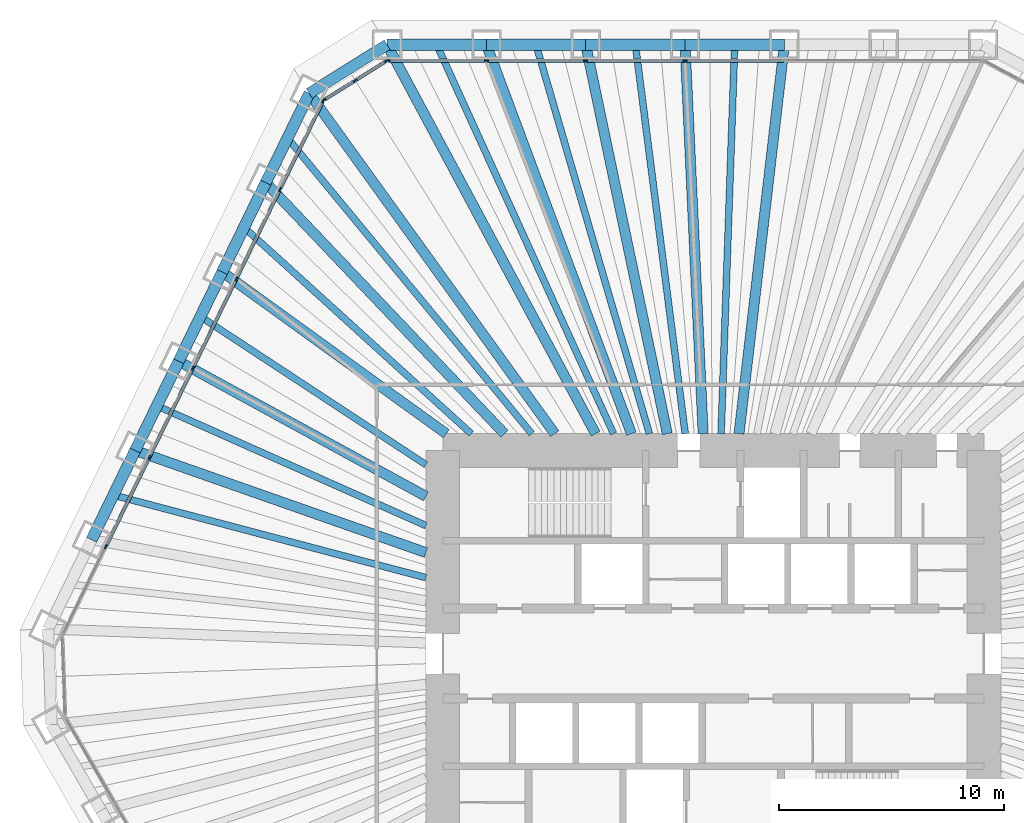
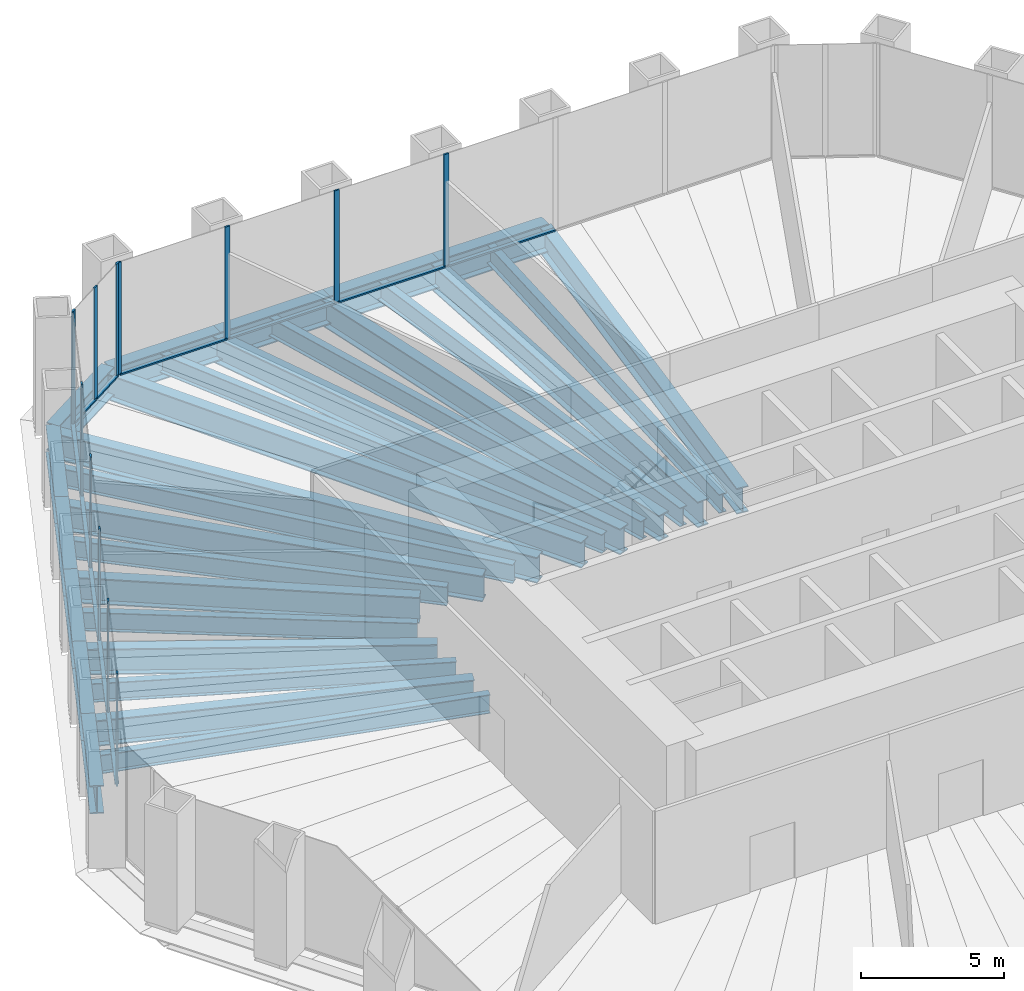
# One storey, part 6 of 14: 29 beams, 24 members, 3 elements without a shape of their own.
"""IFC4 building model written with IfcOpenShell, lengths in metres."""

from ifc_helpers import new_model, si_unit, direction, frame, origin, origin_2d, place, context, subcontext, project, spatial, rectangle, i_section, extrude, material, material_profile, profile_set, type_object, element, aggregate, save


model = new_model("IFC4")

# Units and contexts
model_context = context("Model", 3, precision=1e-05, world=origin(), true_north=direction((0.0, 1.0)))
body_context = subcontext(model_context, "Body", "Model", "MODEL_VIEW")
ifc_project = project(units=[si_unit("LENGTHUNIT", "METRE"), si_unit("AREAUNIT", "SQUARE_METRE"), si_unit("VOLUMEUNIT", "CUBIC_METRE"), si_unit("PLANEANGLEUNIT", "RADIAN"), si_unit("MASSUNIT", "GRAM", prefix="KILO")], contexts=[model_context])

# Site, building, storey
site_placement = place(None, origin())
site = spatial("IfcSite", under=ifc_project, at=site_placement, CompositionType="ELEMENT")
building_placement = place(site_placement, origin())
building = spatial("IfcBuilding", under=site, at=building_placement, Name="Qingtian Harvest Tower", CompositionType="ELEMENT")
storey_placement = place(building_placement, frame((0.0, 0.0, 57.0)))
storey = spatial("IfcBuildingStorey", under=building, at=storey_placement, Name="L11", CompositionType="ELEMENT", Elevation=57.0)

# Beams
ifc_material_1 = material(Name="Steel SM570MC", Category="steel")
ifc_material_profile_1 = material_profile(ifc_material_1, i_section(OverallWidth=0.449951171875, OverallDepth=1.10009765625, WebThickness=0.02197265625, FlangeThickness=0.044921875, at=origin_2d()), Name="H1100x450x22x45")
ifc_profile_set_1 = profile_set([ifc_material_profile_1], Name="Steel SM570MC")
beam_type_1 = type_object("IfcBeamType", Name="Corner floor beam FB8 H1100x450x22x45", PredefinedType="BEAM", material=ifc_profile_set_1)
beam_1_placement = place(storey_placement, frame((-14.471435546875, 27.0, -0.75), z_axis=(0.472401408299, -0.881383520062, 0.0), x_axis=(0.881383520062, 0.472401408299, 0.0)))
element("IfcBeam", 1, at=beam_1_placement, inside=storey, type_object=beam_type_1, Name="Floor beam FB8 N0", PredefinedType="BEAM", context=body_context, shape_type="SweptSolid", body=[
    extrude(i_section(OverallWidth=0.449951171875, OverallDepth=1.10009765625, WebThickness=0.02197265625, FlangeThickness=0.044921875, at=origin_2d()), origin(), (0.0, 0.0, 1.0), 19.571533203125),
])
beam_2_placement = place(storey_placement, frame((-17.923583984375, 24.8427734375, -0.75), z_axis=(0.585095822328, -0.810964166098, 0.0), x_axis=(0.810964166098, 0.585095822328, 0.0)))
element("IfcBeam", 2, at=beam_2_placement, inside=storey, type_object=beam_type_1, Name="Floor beam FB8 NW6", PredefinedType="BEAM", context=body_context, shape_type="SweptSolid", body=[
    extrude(i_section(OverallWidth=0.449951171875, OverallDepth=1.10009765625, WebThickness=0.02197265625, FlangeThickness=0.044921875, at=origin_2d()), origin(), (0.0, 0.0, 1.0), 18.61083984375),
])
ifc_material_2 = material(Name="Steel SM570MC", Category="steel")
ifc_material_profile_2 = material_profile(ifc_material_2, i_section(OverallWidth=0.449951171875, OverallDepth=1.10009765625, WebThickness=0.02197265625, FlangeThickness=0.044921875, at=origin_2d()), Name="H1100x450x22x45")
ifc_profile_set_2 = profile_set([ifc_material_profile_2], Name="Steel SM570MC")
beam_type_2 = type_object("IfcBeamType", Name="Floor beam FB1 H1100x450x22x45", PredefinedType="BEAM", material=ifc_profile_set_2)
beam_3_placement = place(storey_placement, frame((-10.06689453125, 27.0, -0.75), z_axis=(0.349355612113, -0.936990211414, 0.0), x_axis=(0.936990211414, 0.349355612113, 0.0)))
element("IfcBeam", 3, at=beam_3_placement, inside=storey, type_object=beam_type_2, Name="Floor beam FB1 N1", PredefinedType="BEAM", context=body_context, shape_type="SweptSolid", body=[
    extrude(i_section(OverallWidth=0.449951171875, OverallDepth=1.10009765625, WebThickness=0.02197265625, FlangeThickness=0.044921875, at=origin_2d()), origin(), (0.0, 0.0, 1.0), 18.409912109375),
])
beam_4_placement = place(storey_placement, frame((-5.662353515625, 27.0, -0.75), z_axis=(0.205255077335, -0.978708512903, 0.0), x_axis=(0.978708512903, 0.205255077335, 0.0)))
element("IfcBeam", 4, at=beam_4_placement, inside=storey, type_object=beam_type_2, Name="Floor beam FB1 N2", PredefinedType="BEAM", context=body_context, shape_type="SweptSolid", body=[
    extrude(i_section(OverallWidth=0.449951171875, OverallDepth=1.10009765625, WebThickness=0.02197265625, FlangeThickness=0.044921875, at=origin_2d()), origin(), (0.0, 0.0, 1.0), 17.625244140625),
])
beam_5_placement = place(storey_placement, frame((-1.257568359375, 27.0, -0.75), z_axis=(0.046527342366, -0.99891701678, 0.0), x_axis=(0.99891701678, 0.046527342366, 0.0)))
element("IfcBeam", 5, at=beam_5_placement, inside=storey, type_object=beam_type_2, Name="Floor beam FB1 N3", PredefinedType="BEAM", context=body_context, shape_type="SweptSolid", body=[
    extrude(i_section(OverallWidth=0.449951171875, OverallDepth=1.10009765625, WebThickness=0.02197265625, FlangeThickness=0.044921875, at=origin_2d()), origin(), (0.0, 0.0, 1.0), 17.268798828125),
])
beam_6_placement = place(storey_placement, frame((3.14697265625, 27.0, -0.75), z_axis=(-0.115766971807, -0.993276400726, 0.0), x_axis=(0.993276400726, -0.115766971807, 0.0)))
element("IfcBeam", 6, at=beam_6_placement, inside=storey, type_object=beam_type_2, Name="Floor beam FB1 N4", PredefinedType="BEAM", context=body_context, shape_type="SweptSolid", body=[
    extrude(i_section(OverallWidth=0.449951171875, OverallDepth=1.10009765625, WebThickness=0.02197265625, FlangeThickness=0.044921875, at=origin_2d()), origin(), (0.0, 0.0, 1.0), 17.36669921875),
])
beam_7_placement = place(storey_placement, frame((-25.64697265625, 9.007568359375, -0.75), z_axis=(0.943501950009, -0.331366972296, 0.0), x_axis=(0.331366972296, 0.943501950009, 0.0)))
element("IfcBeam", 7, at=beam_7_placement, inside=storey, type_object=beam_type_2, Name="Floor beam FB1 NW2", PredefinedType="BEAM", context=body_context, shape_type="SweptSolid", body=[
    extrude(i_section(OverallWidth=0.449951171875, OverallDepth=1.10009765625, WebThickness=0.02197265625, FlangeThickness=0.044921875, at=origin_2d()), origin(), (0.0, 0.0, 1.0), 13.669189453125),
])
beam_8_placement = place(storey_placement, frame((-23.716064453125, 12.96630859375, -0.75), z_axis=(0.877428569154, -0.479707312882, 0.0), x_axis=(0.479707312882, 0.877428569154, 0.0)))
element("IfcBeam", 8, at=beam_8_placement, inside=storey, type_object=beam_type_2, Name="Floor beam FB1 NW3", PredefinedType="BEAM", context=body_context, shape_type="SweptSolid", body=[
    extrude(i_section(OverallWidth=0.449951171875, OverallDepth=1.10009765625, WebThickness=0.02197265625, FlangeThickness=0.044921875, at=origin_2d()), origin(), (0.0, 0.0, 1.0), 12.498046875),
])
beam_9_placement = place(storey_placement, frame((-21.78515625, 16.92529296875, -0.75), z_axis=(0.810680279019, -0.585489099139, 0.0), x_axis=(0.585489099139, 0.810680279019, 0.0)))
element("IfcBeam", 9, at=beam_9_placement, inside=storey, type_object=beam_type_2, Name="Floor beam FB1 NW4", PredefinedType="BEAM", context=body_context, shape_type="SweptSolid", body=[
    extrude(i_section(OverallWidth=0.449951171875, OverallDepth=1.10009765625, WebThickness=0.02197265625, FlangeThickness=0.044921875, at=origin_2d()), origin(), (0.0, 0.0, 1.0), 12.255126953125),
])
beam_10_placement = place(storey_placement, frame((-19.8544921875, 20.884033203125, -0.75), z_axis=(0.689018801535, -0.724743465739, 0.0), x_axis=(0.724743465739, 0.689018801535, 0.0)))
element("IfcBeam", 10, at=beam_10_placement, inside=storey, type_object=beam_type_2, Name="Floor beam FB1 NW5", PredefinedType="BEAM", context=body_context, shape_type="SweptSolid", body=[
    extrude(i_section(OverallWidth=0.449951171875, OverallDepth=1.10009765625, WebThickness=0.02197265625, FlangeThickness=0.044921875, at=origin_2d()), origin(), (0.0, 0.0, 1.0), 15.36279296875),
])
ifc_material_3 = material(Name="Steel SN490B", Category="steel")
ifc_material_profile_3 = material_profile(ifc_material_3, i_section(OverallWidth=0.300048828125, OverallDepth=0.800048828125, WebThickness=0.013916015625, FlangeThickness=0.02587890625, at=origin_2d()), Name="H800x300x14x26")
ifc_profile_set_3 = profile_set([ifc_material_profile_3], Name="Steel SN490B")
beam_type_3 = type_object("IfcBeamType", Name="Floor joist J1 H800x300x14x26", PredefinedType="JOIST", material=ifc_profile_set_3)
beam_11_placement = place(storey_placement, frame((-12.269287109375, 27.0, -0.60009765625), z_axis=(0.413713629402, -0.910407069858, 0.0), x_axis=(0.910407069858, 0.413713629402, 0.0)))
element("IfcBeam", 11, at=beam_11_placement, inside=storey, type_object=beam_type_3, Name="Floor joist J1 N0", PredefinedType="JOIST", context=body_context, shape_type="SweptSolid", body=[
    extrude(i_section(OverallWidth=0.300048828125, OverallDepth=0.800048828125, WebThickness=0.013916015625, FlangeThickness=0.02587890625, at=origin_2d()), origin(), (0.0, 0.0, 1.0), 18.947509765625),
])
beam_12_placement = place(storey_placement, frame((-7.864501953125, 27.0, -0.60009765625), z_axis=(0.279649335299, -0.960102207719, 0.0), x_axis=(0.960102207719, 0.279649335299, 0.0)))
element("IfcBeam", 12, at=beam_12_placement, inside=storey, type_object=beam_type_3, Name="Floor joist J1 N1", PredefinedType="JOIST", context=body_context, shape_type="SweptSolid", body=[
    extrude(i_section(OverallWidth=0.300048828125, OverallDepth=0.800048828125, WebThickness=0.013916015625, FlangeThickness=0.02587890625, at=origin_2d()), origin(), (0.0, 0.0, 1.0), 17.966796875),
])
beam_13_placement = place(storey_placement, frame((-3.4599609375, 27.0, -0.60009765625), z_axis=(0.127102696173, -0.991889562716, 0.0), x_axis=(0.991889562716, 0.127102696173, 0.0)))
element("IfcBeam", 13, at=beam_13_placement, inside=storey, type_object=beam_type_3, Name="Floor joist J1 N2", PredefinedType="JOIST", context=body_context, shape_type="SweptSolid", body=[
    extrude(i_section(OverallWidth=0.300048828125, OverallDepth=0.800048828125, WebThickness=0.013916015625, FlangeThickness=0.02587890625, at=origin_2d()), origin(), (0.0, 0.0, 1.0), 17.39111328125),
])
beam_14_placement = place(storey_placement, frame((0.944580078125, 27.0, -0.60009765625), z_axis=(-0.034965020137, -0.99938853674, 0.0), x_axis=(0.99938853674, -0.034965020137, 0.0)))
element("IfcBeam", 14, at=beam_14_placement, inside=storey, type_object=beam_type_3, Name="Floor joist J1 N3", PredefinedType="JOIST", context=body_context, shape_type="SweptSolid", body=[
    extrude(i_section(OverallWidth=0.300048828125, OverallDepth=0.800048828125, WebThickness=0.013916015625, FlangeThickness=0.02587890625, at=origin_2d()), origin(), (0.0, 0.0, 1.0), 17.260498046875),
])
beam_15_placement = place(storey_placement, frame((-26.6123046875, 7.028076171875, -0.60009765625), z_axis=(0.966852496992, -0.255335561684, 0.0), x_axis=(0.255335561684, 0.966852496992, 0.0)))
element("IfcBeam", 15, at=beam_15_placement, inside=storey, type_object=beam_type_3, Name="Floor joist J1 NW1", PredefinedType="JOIST", context=body_context, shape_type="SweptSolid", body=[
    extrude(i_section(OverallWidth=0.300048828125, OverallDepth=0.800048828125, WebThickness=0.013916015625, FlangeThickness=0.02587890625, at=origin_2d()), origin(), (0.0, 0.0, 1.0), 14.337646484375),
])
beam_16_placement = place(storey_placement, frame((-24.681640625, 10.987060546875, -0.60009765625), z_axis=(0.913567796195, -0.406686466157, 0.0), x_axis=(0.406686466157, 0.913567796195, 0.0)))
element("IfcBeam", 16, at=beam_16_placement, inside=storey, type_object=beam_type_3, Name="Floor joist J1 NW2", PredefinedType="JOIST", context=body_context, shape_type="SweptSolid", body=[
    extrude(i_section(OverallWidth=0.300048828125, OverallDepth=0.800048828125, WebThickness=0.013916015625, FlangeThickness=0.02587890625, at=origin_2d()), origin(), (0.0, 0.0, 1.0), 13.060546875),
])
beam_17_placement = place(storey_placement, frame((-22.750732421875, 14.94580078125, -0.60009765625), z_axis=(0.835785467613, -0.549056146607, 0.0), x_axis=(0.549056146607, 0.835785467613, 0.0)))
element("IfcBeam", 17, at=beam_17_placement, inside=storey, type_object=beam_type_3, Name="Floor joist J1 NW3", PredefinedType="JOIST", context=body_context, shape_type="SweptSolid", body=[
    extrude(i_section(OverallWidth=0.300048828125, OverallDepth=0.800048828125, WebThickness=0.013916015625, FlangeThickness=0.02587890625, at=origin_2d()), origin(), (0.0, 0.0, 1.0), 11.965576171875),
])
beam_18_placement = place(storey_placement, frame((-20.81982421875, 18.904541015625, -0.60009765625), z_axis=(0.740339866926, -0.672232758381, 0.0), x_axis=(0.672232758381, 0.740339866926, 0.0)))
element("IfcBeam", 18, at=beam_18_placement, inside=storey, type_object=beam_type_3, Name="Floor joist J1 NW4", PredefinedType="JOIST", context=body_context, shape_type="SweptSolid", body=[
    extrude(i_section(OverallWidth=0.300048828125, OverallDepth=0.800048828125, WebThickness=0.013916015625, FlangeThickness=0.02587890625, at=origin_2d()), origin(), (0.0, 0.0, 1.0), 13.6181640625),
])
beam_19_placement = place(storey_placement, frame((-18.888916015625, 22.863525390625, -0.60009765625), z_axis=(0.636910378144, -0.77093785107, 0.0), x_axis=(0.77093785107, 0.636910378144, 0.0)))
element("IfcBeam", 19, at=beam_19_placement, inside=storey, type_object=beam_type_3, Name="Floor joist J1 NW5", PredefinedType="JOIST", context=body_context, shape_type="SweptSolid", body=[
    extrude(i_section(OverallWidth=0.300048828125, OverallDepth=0.800048828125, WebThickness=0.013916015625, FlangeThickness=0.02587890625, at=origin_2d()), origin(), (0.0, 0.0, 1.0), 17.009765625),
])

# Curtain wall, members
ifc_material_4 = material(Name="Bronze-anodised aluminium curtain wall", Category="aluminium")
curtain_wall_type = type_object("IfcCurtainWallType", Name="Curtain wall CW2 farm reception", PredefinedType="USERDEFINED", material=ifc_material_4)
curtain_wall_1_placement = place(storey_placement, origin())
curtain_wall_1 = element("IfcCurtainWall", 20, at=curtain_wall_1_placement, inside=storey, type_object=curtain_wall_type, Name="Curtain wall CW2 L11 N0-5", ObjectType="RECESSED CURTAIN WALL", PredefinedType="USERDEFINED")
ifc_material_5 = material(Name="Bronze-anodised aluminium mullion", Category="aluminium")
ifc_material_profile_4 = material_profile(ifc_material_5, rectangle(XDim=0.06494140625, YDim=0.199951171875, at=origin_2d()), Name="AL 65x200")
ifc_profile_set_4 = profile_set([ifc_material_profile_4], Name="Bronze-anodised aluminium mullion")
member_type_1 = type_object("IfcMemberType", Name="Mullion CWM 65x200", PredefinedType="MULLION", material=ifc_profile_set_4)
member_1_placement = place(storey_placement, frame((-14.43896484375, 26.300048828125, 0.0), z_axis=(0.0, 0.0, 1.0), x_axis=(0.0, 1.0, 0.0)))
member_1 = element("IfcMember", 21, at=member_1_placement, type_object=member_type_1, Name="CW2 mullion 1", PredefinedType="MULLION", context=body_context, shape_type="SweptSolid", body=[
    extrude(rectangle(XDim=0.06494140625, YDim=0.199951171875, at=origin_2d()), origin(), (0.0, 0.0, 1.0), 4.800048828125),
])
member_2_placement = place(storey_placement, frame((-10.06689453125, 26.300048828125, 0.0), z_axis=(0.0, 0.0, 1.0), x_axis=(0.0, 1.0, 0.0)))
member_2 = element("IfcMember", 22, at=member_2_placement, type_object=member_type_1, Name="CW2 mullion 2", PredefinedType="MULLION", context=body_context, shape_type="SweptSolid", body=[
    extrude(rectangle(XDim=0.06494140625, YDim=0.199951171875, at=origin_2d()), origin(), (0.0, 0.0, 1.0), 4.800048828125),
])
member_3_placement = place(storey_placement, frame((-5.662353515625, 26.300048828125, 0.0), z_axis=(0.0, 0.0, 1.0), x_axis=(0.0, 1.0, 0.0)))
member_3 = element("IfcMember", 23, at=member_3_placement, type_object=member_type_1, Name="CW2 mullion 3", PredefinedType="MULLION", context=body_context, shape_type="SweptSolid", body=[
    extrude(rectangle(XDim=0.06494140625, YDim=0.199951171875, at=origin_2d()), origin(), (0.0, 0.0, 1.0), 4.800048828125),
])
member_4_placement = place(storey_placement, frame((-1.257568359375, 26.300048828125, 0.0), z_axis=(0.0, 0.0, 1.0), x_axis=(0.0, 1.0, 0.0)))
member_4 = element("IfcMember", 24, at=member_4_placement, type_object=member_type_1, Name="CW2 mullion 4", PredefinedType="MULLION", context=body_context, shape_type="SweptSolid", body=[
    extrude(rectangle(XDim=0.06494140625, YDim=0.199951171875, at=origin_2d()), origin(), (0.0, 0.0, 1.0), 4.800048828125),
])

curtain_wall_2_placement = place(storey_placement, origin())
curtain_wall_2 = element("IfcCurtainWall", 25, at=curtain_wall_2_placement, inside=storey, type_object=curtain_wall_type, Name="Curtain wall CW2 L11 NW0-5", ObjectType="RECESSED CURTAIN WALL", PredefinedType="USERDEFINED")
member_5_placement = place(storey_placement, frame((-26.94873046875, 4.741943359375, 0.0), z_axis=(0.0, 0.0, 1.0), x_axis=(-0.898794046299, 0.438371146789, 0.0)))
member_5 = element("IfcMember", 26, at=member_5_placement, type_object=member_type_1, Name="CW2 mullion 2", PredefinedType="MULLION", context=body_context, shape_type="SweptSolid", body=[
    extrude(rectangle(XDim=0.06494140625, YDim=0.199951171875, at=origin_2d()), origin(), (0.0, 0.0, 1.0), 4.800048828125),
])
member_6_placement = place(storey_placement, frame((-25.017822265625, 8.70068359375, 0.0), z_axis=(0.0, 0.0, 1.0), x_axis=(-0.898794046299, 0.438371146789, 0.0)))
member_6 = element("IfcMember", 27, at=member_6_placement, type_object=member_type_1, Name="CW2 mullion 3", PredefinedType="MULLION", context=body_context, shape_type="SweptSolid", body=[
    extrude(rectangle(XDim=0.06494140625, YDim=0.199951171875, at=origin_2d()), origin(), (0.0, 0.0, 1.0), 4.800048828125),
])
member_7_placement = place(storey_placement, frame((-23.0869140625, 12.659423828125, 0.0), z_axis=(0.0, 0.0, 1.0), x_axis=(-0.898794046299, 0.438371146789, 0.0)))
member_7 = element("IfcMember", 28, at=member_7_placement, type_object=member_type_1, Name="CW2 mullion 4", PredefinedType="MULLION", context=body_context, shape_type="SweptSolid", body=[
    extrude(rectangle(XDim=0.06494140625, YDim=0.199951171875, at=origin_2d()), origin(), (0.0, 0.0, 1.0), 4.800048828125),
])
member_8_placement = place(storey_placement, frame((-21.156005859375, 16.618408203125, 0.0), z_axis=(0.0, 0.0, 1.0), x_axis=(-0.898794046299, 0.438371146789, 0.0)))
member_8 = element("IfcMember", 29, at=member_8_placement, type_object=member_type_1, Name="CW2 mullion 5", PredefinedType="MULLION", context=body_context, shape_type="SweptSolid", body=[
    extrude(rectangle(XDim=0.06494140625, YDim=0.199951171875, at=origin_2d()), origin(), (0.0, 0.0, 1.0), 4.800048828125),
])
member_9_placement = place(storey_placement, frame((-19.225341796875, 20.5771484375, 0.0), z_axis=(0.0, 0.0, 1.0), x_axis=(-0.898794046299, 0.438371146789, 0.0)))
member_9 = element("IfcMember", 30, at=member_9_placement, type_object=member_type_1, Name="CW2 mullion 6", PredefinedType="MULLION", context=body_context, shape_type="SweptSolid", body=[
    extrude(rectangle(XDim=0.06494140625, YDim=0.199951171875, at=origin_2d()), origin(), (0.0, 0.0, 1.0), 4.800048828125),
])
member_10_placement = place(storey_placement, frame((-17.30859375, 24.5068359375, 0.0), z_axis=(0.0, 0.0, 1.0), x_axis=(-0.898794046299, 0.438371146789, 0.0)))
member_10 = element("IfcMember", 31, at=member_10_placement, type_object=member_type_1, Name="CW2 mullion 7", PredefinedType="MULLION", context=body_context, shape_type="SweptSolid", body=[
    extrude(rectangle(XDim=0.06494140625, YDim=0.199951171875, at=origin_2d()), origin(), (0.0, 0.0, 1.0), 4.800048828125),
])

curtain_wall_3_placement = place(storey_placement, origin())
curtain_wall_3 = element("IfcCurtainWall", 32, at=curtain_wall_3_placement, inside=storey, type_object=curtain_wall_type, Name="Curtain wall CW2 L11 NWC", ObjectType="RECESSED CURTAIN WALL", PredefinedType="USERDEFINED")
member_11_placement = place(storey_placement, frame((-17.266845703125, 24.55322265625, 0.0), z_axis=(0.0, 0.0, 1.0), x_axis=(-0.529919264233, 0.848048096156, 0.0)))
member_11 = element("IfcMember", 33, at=member_11_placement, type_object=member_type_1, Name="CW2 mullion 1", PredefinedType="MULLION", context=body_context, shape_type="SweptSolid", body=[
    extrude(rectangle(XDim=0.06494140625, YDim=0.199951171875, at=origin_2d()), origin(), (0.0, 0.0, 1.0), 4.800048828125),
])
member_12_placement = place(storey_placement, frame((-15.883056640625, 25.41796875, 0.0), z_axis=(0.0, 0.0, 1.0), x_axis=(-0.529919264233, 0.848048096156, 0.0)))
member_12 = element("IfcMember", 34, at=member_12_placement, type_object=member_type_1, Name="CW2 mullion 2", PredefinedType="MULLION", context=body_context, shape_type="SweptSolid", body=[
    extrude(rectangle(XDim=0.06494140625, YDim=0.199951171875, at=origin_2d()), origin(), (0.0, 0.0, 1.0), 4.800048828125),
])
member_13_placement = place(storey_placement, frame((-14.4990234375, 26.28271484375, 0.0), z_axis=(0.0, 0.0, 1.0), x_axis=(-0.529919264233, 0.848048096156, 0.0)))
member_13 = element("IfcMember", 35, at=member_13_placement, type_object=member_type_1, Name="CW2 mullion 3", PredefinedType="MULLION", context=body_context, shape_type="SweptSolid", body=[
    extrude(rectangle(XDim=0.06494140625, YDim=0.199951171875, at=origin_2d()), origin(), (0.0, 0.0, 1.0), 4.800048828125),
])

# Beams
ifc_material_6 = material(Name="Steel SM570MC", Category="steel")
ifc_material_profile_5 = material_profile(ifc_material_6, i_section(OverallWidth=0.5, OverallDepth=1.199951171875, WebThickness=0.02490234375, FlangeThickness=0.050048828125, at=origin_2d()), Name="H1200x500x25x50")
ifc_profile_set_5 = profile_set([ifc_material_profile_5], Name="Steel SM570MC")
beam_type_4 = type_object("IfcBeamType", Name="Spandrel beam SB1 H1200x500x25x50", PredefinedType="SPANDREL", material=ifc_profile_set_5)
for number, where, z_axis, x_axis, name in (
    (36, (-14.471435546875, 27.0, -0.60009765625), (1.0, 0.0, 0.0), (0.0, 1.0, 0.0), "Spandrel SB1 N0"),
    (37, (-10.06689453125, 27.0, -0.60009765625), (1.0, 0.0, 0.0), (0.0, 1.0, 0.0), "Spandrel SB1 N1"),
):
    element("IfcBeam", number, at=place(storey_placement, frame(where, z_axis=z_axis, x_axis=x_axis)), inside=storey, type_object=beam_type_4, Name=name, PredefinedType="SPANDREL", context=body_context, shape_type="SweptSolid", body=[
        extrude(i_section(OverallWidth=0.5, OverallDepth=1.199951171875, WebThickness=0.02490234375, FlangeThickness=0.050048828125, at=origin_2d()), origin(), (0.0, 0.0, 1.0), 4.404541015625),
    ])
beam_20_placement = place(storey_placement, frame((-5.662353515625, 27.0, -0.60009765625), z_axis=(1.0, 0.0, 0.0), x_axis=(0.0, 1.0, 0.0)))
element("IfcBeam", 38, at=beam_20_placement, inside=storey, type_object=beam_type_4, Name="Spandrel SB1 N2", PredefinedType="SPANDREL", context=body_context, shape_type="SweptSolid", body=[
    extrude(i_section(OverallWidth=0.5, OverallDepth=1.199951171875, WebThickness=0.02490234375, FlangeThickness=0.050048828125, at=origin_2d()), origin(), (0.0, 0.0, 1.0), 4.40478515625),
])
for number, where, z_axis, x_axis, name in (
    (39, (-1.257568359375, 27.0, -0.60009765625), (1.0, 0.0, 0.0), (0.0, 1.0, 0.0), "Spandrel SB1 N3"),
    (40, (-27.577880859375, 5.048828125, -0.60009765625), (0.438389777529, 0.898784959241, 0.0), (-0.898784959241, 0.438389777529, 0.0), "Spandrel SB1 NW1"),
    (41, (-25.64697265625, 9.007568359375, -0.60009765625), (0.438389777529, 0.898784959241, 0.0), (-0.898784959241, 0.438389777529, 0.0), "Spandrel SB1 NW2"),
):
    element("IfcBeam", number, at=place(storey_placement, frame(where, z_axis=z_axis, x_axis=x_axis)), inside=storey, type_object=beam_type_4, Name=name, PredefinedType="SPANDREL", context=body_context, shape_type="SweptSolid", body=[
        extrude(i_section(OverallWidth=0.5, OverallDepth=1.199951171875, WebThickness=0.02490234375, FlangeThickness=0.050048828125, at=origin_2d()), origin(), (0.0, 0.0, 1.0), 4.404541015625),
    ])
beam_21_placement = place(storey_placement, frame((-23.716064453125, 12.96630859375, -0.60009765625), z_axis=(0.438367938366, 0.898795611145, 0.0), x_axis=(-0.898795611145, 0.438367938366, 0.0)))
element("IfcBeam", 42, at=beam_21_placement, inside=storey, type_object=beam_type_4, Name="Spandrel SB1 NW3", PredefinedType="SPANDREL", context=body_context, shape_type="SweptSolid", body=[
    extrude(i_section(OverallWidth=0.5, OverallDepth=1.199951171875, WebThickness=0.02490234375, FlangeThickness=0.050048828125, at=origin_2d()), origin(), (0.0, 0.0, 1.0), 4.40478515625),
])
for number, where, z_axis, x_axis, name in (
    (43, (-21.78515625, 16.92529296875, -0.60009765625), (0.438344999367, 0.898806798778, 0.0), (-0.898806798778, 0.438344999367, 0.0), "Spandrel SB1 NW4"),
    (44, (-19.8544921875, 20.884033203125, -0.60009765625), (0.438389777529, 0.898784959241, 0.0), (-0.898784959241, 0.438389777529, 0.0), "Spandrel SB1 NW5"),
):
    element("IfcBeam", number, at=place(storey_placement, frame(where, z_axis=z_axis, x_axis=x_axis)), inside=storey, type_object=beam_type_4, Name=name, PredefinedType="SPANDREL", context=body_context, shape_type="SweptSolid", body=[
        extrude(i_section(OverallWidth=0.5, OverallDepth=1.199951171875, WebThickness=0.02490234375, FlangeThickness=0.050048828125, at=origin_2d()), origin(), (0.0, 0.0, 1.0), 4.404541015625),
    ])
beam_22_placement = place(storey_placement, frame((-17.923583984375, 24.8427734375, -0.60009765625), z_axis=(0.848038733752, 0.529934246919, 0.0), x_axis=(-0.529934246919, 0.848038733752, 0.0)))
element("IfcBeam", 45, at=beam_22_placement, inside=storey, type_object=beam_type_4, Name="Spandrel SB1 NWC", PredefinedType="SPANDREL", context=body_context, shape_type="SweptSolid", body=[
    extrude(i_section(OverallWidth=0.5, OverallDepth=1.199951171875, WebThickness=0.02490234375, FlangeThickness=0.050048828125, at=origin_2d()), origin(), (0.0, 0.0, 1.0), 4.07080078125),
])

# Member
ifc_material_7 = material(Name="Bronze-anodised aluminium transom", Category="aluminium")
ifc_material_profile_6 = material_profile(ifc_material_7, rectangle(XDim=0.14990234375, YDim=0.06494140625, at=origin_2d()), Name="AL 65x150")
ifc_profile_set_6 = profile_set([ifc_material_profile_6], Name="Bronze-anodised aluminium transom")
member_type_2 = type_object("IfcMemberType", Name="Transom CWT 65x150", PredefinedType="USERDEFINED", material=ifc_profile_set_6)
member_14_placement = place(storey_placement, frame((-14.406494140625, 26.300048828125, 0.032470703125), z_axis=(1.0, 0.0, 0.0), x_axis=(0.0, 1.0, 0.0)))
member_14 = element("IfcMember", 46, at=member_14_placement, type_object=member_type_2, Name="CW2 transom 1.1", ObjectType="TRANSOM", PredefinedType="USERDEFINED", context=body_context, shape_type="SweptSolid", body=[
    extrude(rectangle(XDim=0.14990234375, YDim=0.06494140625, at=origin_2d()), origin(), (0.0, 0.0, 1.0), 4.30712890625),
])

member_15_placement = place(storey_placement, frame((-10.034423828125, 26.300048828125, 0.032470703125), z_axis=(1.0, 0.0, 0.0), x_axis=(0.0, 1.0, 0.0)))
member_15 = element("IfcMember", 47, at=member_15_placement, type_object=member_type_2, Name="CW2 transom 2.1", ObjectType="TRANSOM", PredefinedType="USERDEFINED", context=body_context, shape_type="SweptSolid", body=[
    extrude(rectangle(XDim=0.14990234375, YDim=0.06494140625, at=origin_2d()), origin(), (0.0, 0.0, 1.0), 4.339599609375),
])

member_16_placement = place(storey_placement, frame((-5.6298828125, 26.300048828125, 0.032470703125), z_axis=(1.0, 0.0, 0.0), x_axis=(0.0, 1.0, 0.0)))
member_16 = element("IfcMember", 48, at=member_16_placement, type_object=member_type_2, Name="CW2 transom 3.1", ObjectType="TRANSOM", PredefinedType="USERDEFINED", context=body_context, shape_type="SweptSolid", body=[
    extrude(rectangle(XDim=0.14990234375, YDim=0.06494140625, at=origin_2d()), origin(), (0.0, 0.0, 1.0), 4.33984375),
])

member_17_placement = place(storey_placement, frame((-1.22509765625, 26.300048828125, 0.032470703125), z_axis=(1.0, 0.0, 0.0), x_axis=(0.0, 1.0, 0.0)))
member_17 = element("IfcMember", 49, at=member_17_placement, type_object=member_type_2, Name="CW2 transom 4.1", ObjectType="TRANSOM", PredefinedType="USERDEFINED", context=body_context, shape_type="SweptSolid", body=[
    extrude(rectangle(XDim=0.14990234375, YDim=0.06494140625, at=origin_2d()), origin(), (0.0, 0.0, 1.0), 4.339599609375),
])

aggregate(curtain_wall_1, [member_1, member_2, member_3, member_4, member_14, member_15, member_16, member_17])

member_18_placement = place(storey_placement, frame((-26.934326171875, 4.77099609375, 0.032470703125), z_axis=(0.438370427127, 0.898794397302, 0.0), x_axis=(-0.898794397302, 0.438370427127, 0.0)))
member_18 = element("IfcMember", 50, at=member_18_placement, type_object=member_type_2, Name="CW2 transom 2.1", ObjectType="TRANSOM", PredefinedType="USERDEFINED", context=body_context, shape_type="SweptSolid", body=[
    extrude(rectangle(XDim=0.14990234375, YDim=0.06494140625, at=origin_2d()), origin(), (0.0, 0.0, 1.0), 4.339599609375),
])

member_19_placement = place(storey_placement, frame((-25.003662109375, 8.72998046875, 0.032470703125), z_axis=(0.438370427127, 0.898794397302, 0.0), x_axis=(-0.898794397302, 0.438370427127, 0.0)))
member_19 = element("IfcMember", 51, at=member_19_placement, type_object=member_type_2, Name="CW2 transom 3.1", ObjectType="TRANSOM", PredefinedType="USERDEFINED", context=body_context, shape_type="SweptSolid", body=[
    extrude(rectangle(XDim=0.14990234375, YDim=0.06494140625, at=origin_2d()), origin(), (0.0, 0.0, 1.0), 4.339599609375),
])

member_20_placement = place(storey_placement, frame((-23.07275390625, 12.688720703125, 0.032470703125), z_axis=(0.438370427127, 0.898794397302, 0.0), x_axis=(-0.898794397302, 0.438370427127, 0.0)))
member_20 = element("IfcMember", 52, at=member_20_placement, type_object=member_type_2, Name="CW2 transom 4.1", ObjectType="TRANSOM", PredefinedType="USERDEFINED", context=body_context, shape_type="SweptSolid", body=[
    extrude(rectangle(XDim=0.14990234375, YDim=0.06494140625, at=origin_2d()), origin(), (0.0, 0.0, 1.0), 4.339599609375),
])

member_21_placement = place(storey_placement, frame((-21.141845703125, 16.6474609375, 0.032470703125), z_axis=(0.438348261778, 0.898805207704, 0.0), x_axis=(-0.898805207704, 0.438348261778, 0.0)))
member_21 = element("IfcMember", 53, at=member_21_placement, type_object=member_type_2, Name="CW2 transom 5.1", ObjectType="TRANSOM", PredefinedType="USERDEFINED", context=body_context, shape_type="SweptSolid", body=[
    extrude(rectangle(XDim=0.14990234375, YDim=0.06494140625, at=origin_2d()), origin(), (0.0, 0.0, 1.0), 4.33984375),
])

member_22_placement = place(storey_placement, frame((-19.2109375, 20.6064453125, 0.032470703125), z_axis=(0.438348803491, 0.89880494351, 0.0), x_axis=(-0.89880494351, 0.438348803491, 0.0)))
member_22 = element("IfcMember", 54, at=member_22_placement, type_object=member_type_2, Name="CW2 transom 6.1", ObjectType="TRANSOM", PredefinedType="USERDEFINED", context=body_context, shape_type="SweptSolid", body=[
    extrude(rectangle(XDim=0.14990234375, YDim=0.06494140625, at=origin_2d()), origin(), (0.0, 0.0, 1.0), 4.306884765625),
])

aggregate(curtain_wall_2, [member_5, member_6, member_7, member_8, member_9, member_10, member_18, member_19, member_20, member_21, member_22])

member_23_placement = place(storey_placement, frame((-17.2392578125, 24.570556640625, 0.032470703125), z_axis=(0.848059570903, 0.529900900357, 0.0), x_axis=(-0.529900900357, 0.848059570903, 0.0)))
member_23 = element("IfcMember", 55, at=member_23_placement, type_object=member_type_2, Name="CW2 transom 1.1", ObjectType="TRANSOM", PredefinedType="USERDEFINED", context=body_context, shape_type="SweptSolid", body=[
    extrude(rectangle(XDim=0.14990234375, YDim=0.06494140625, at=origin_2d()), origin(), (0.0, 0.0, 1.0), 1.56689453125),
])

member_24_placement = place(storey_placement, frame((-15.85546875, 25.435302734375, 0.032470703125), z_axis=(0.848059570903, 0.529900900357, 0.0), x_axis=(-0.529900900357, 0.848059570903, 0.0)))
member_24 = element("IfcMember", 56, at=member_24_placement, type_object=member_type_2, Name="CW2 transom 2.1", ObjectType="TRANSOM", PredefinedType="USERDEFINED", context=body_context, shape_type="SweptSolid", body=[
    extrude(rectangle(XDim=0.14990234375, YDim=0.06494140625, at=origin_2d()), origin(), (0.0, 0.0, 1.0), 1.56689453125),
])

aggregate(curtain_wall_3, [member_11, member_12, member_13, member_23, member_24])

save(model, "model.ifc")
